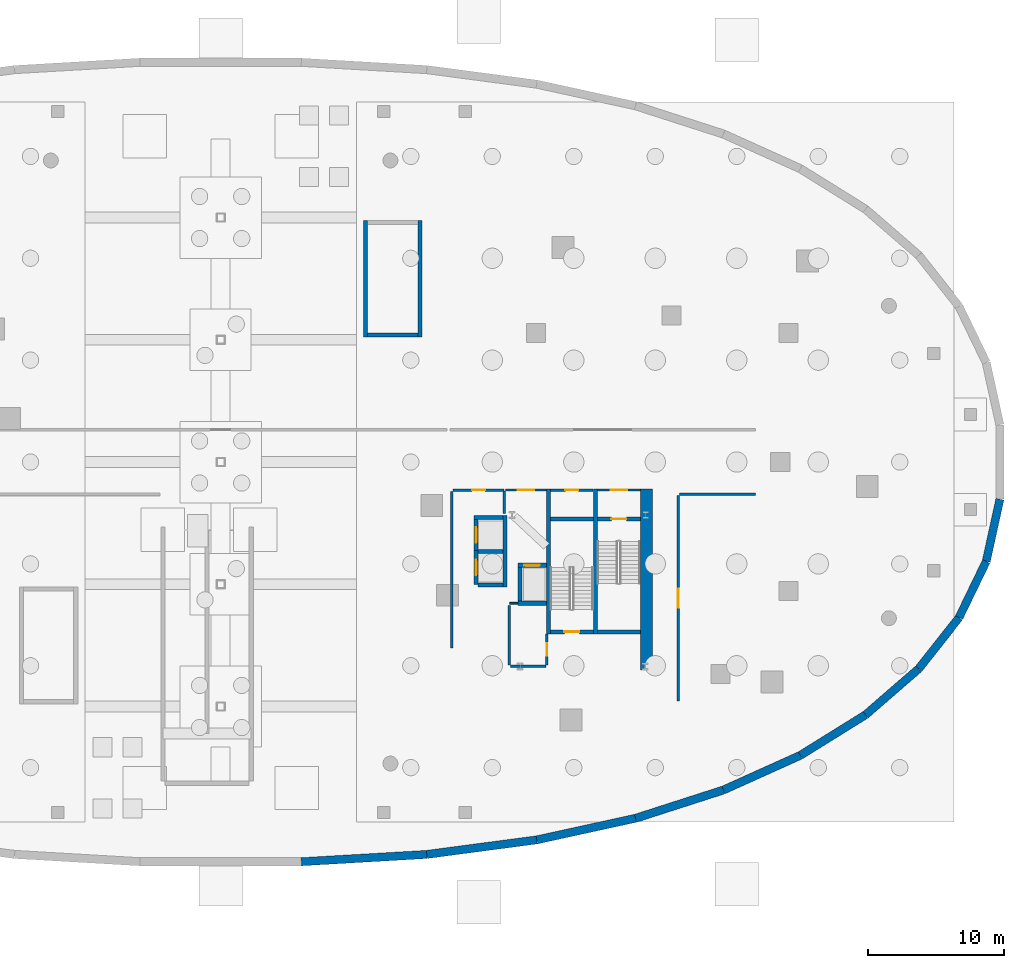
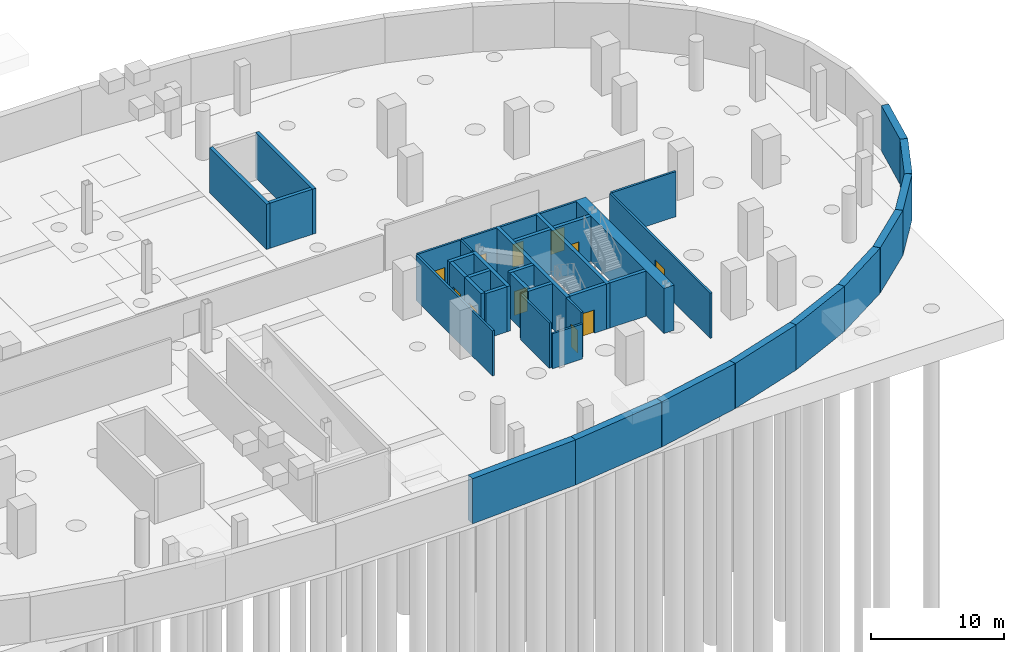
# One storey, part 6 of 10: 41 walls, 11 doors, 11 openings.
"""IFC4 building model written with IfcOpenShell, lengths in metres."""

from ifc_helpers import new_model, si_unit, direction, frame, frame_2d, origin, place, context, subcontext, project, spatial, rectangle, extrude, material, layer, layer_set, type_object, element, fill, save


model = new_model("IFC4")

# Units and contexts
model_context = context("Model", 3, precision=1e-05, world=origin(), true_north=direction((0.0, 1.0)))
body_context = subcontext(model_context, "Body", "Model", "MODEL_VIEW")
ifc_project = project(units=[si_unit("LENGTHUNIT", "METRE"), si_unit("AREAUNIT", "SQUARE_METRE"), si_unit("VOLUMEUNIT", "CUBIC_METRE"), si_unit("PLANEANGLEUNIT", "RADIAN"), si_unit("MASSUNIT", "GRAM", prefix="KILO"), si_unit("THERMODYNAMICTEMPERATUREUNIT", "KELVIN"), si_unit("POWERUNIT", "WATT")], contexts=[model_context])

# Site, building, storey
site_placement = place(None, origin())
site = spatial("IfcSite", under=ifc_project, at=site_placement, CompositionType="ELEMENT")
building_placement = place(site_placement, origin())
building = spatial("IfcBuilding", under=site, at=building_placement, Name="Cundina Bronze Exchange", CompositionType="ELEMENT")
storey_placement = place(building_placement, frame((0.0, 0.0, -9.0)))
storey = spatial("IfcBuildingStorey", under=building, at=storey_placement, Name="B02", CompositionType="ELEMENT", Elevation=-9.0)

# Wall
ifc_material_1 = material(Name="Gypsum Fireboard Partition EI120")
ifc_layer_1 = layer(ifc_material_1, 0.179931640625, Name="Gypsum Fireboard Partition EI120")
ifc_layer_set_1 = layer_set([ifc_layer_1], Name="Gypsum Fireboard Partition EI120")
wall_type_1 = type_object("IfcWallType", Name="WL-COR-180", PredefinedType="PARTITIONING", material=ifc_layer_set_1)
wall_1_placement = place(storey_placement, frame((20.889892578125, -3.800048828125, 0.0), z_axis=(0.0, 0.0, 1.0), x_axis=(0.0, 1.0, 0.0)))
element("IfcWall", 1, at=wall_1_placement, inside=storey, type_object=wall_type_1, Name="B02 E Firefighting Lobby Side Wall", PredefinedType="PARTITIONING", context=body_context, shape_type="SweptSolid", body=[
    extrude(rectangle(XDim=1.650146484375, YDim=0.179931640625, at=frame_2d((0.8251953125, 0.0))), origin(), (0.0, 0.0, 1.0), 4.14990234375),
])

# Wall, opening, door
wall_2_placement = place(storey_placement, frame((20.97998046875, -2.06005859375, 0.0), z_axis=(0.0, 0.0, 1.0), x_axis=(1.0, 0.0, 0.0)))
wall_2 = element("IfcWall", 2, at=wall_2_placement, inside=storey, type_object=wall_type_1, Name="B02 E Firefighting Lobby Exit Wall", PredefinedType="PARTITIONING", context=body_context, shape_type="SweptSolid", body=[
    extrude(rectangle(XDim=3.0, YDim=0.179931640625, at=frame_2d((1.5, 0.0))), origin(), (0.0, 0.0, 1.0), 4.14990234375),
])
opening_1_placement = place(wall_2_placement, frame((0.89990234375, 0.0, 0.0)))
opening_1 = element("IfcOpeningElement", 3, at=opening_1_placement, cuts=wall_2, Name="Opening DF-01", PredefinedType="OPENING", context=body_context, shape_type="SweptSolid", body=[
    extrude(rectangle(XDim=1.199951171875, YDim=2.14990234375, at=frame_2d((0.60009765625, 1.074951171875))), frame((0.0, 0.099853515625, 0.0), z_axis=(0.0, -1.0, 0.0), x_axis=(1.0, 0.0, 0.0)), (0.0, 0.0, 1.0), 0.199951171875),
])
ifc_material_2 = material(Name="Steel ASTM A36 Painted", Category="steel")
door_type_1 = type_object("IfcDoorType", Name="DR-FFL-1200", OperationType="NOTDEFINED", PredefinedType="DOOR", material=ifc_material_2)
door_1_placement = place(opening_1_placement, origin())
door_1 = element("IfcDoor", 4, at=door_1_placement, inside=storey, type_object=door_type_1, Name="B02 E Firefighting Lobby Door", OperationType="SINGLE_SWING_LEFT", OverallHeight=2.14990234375, OverallWidth=1.199951171875, PredefinedType="DOOR", context=body_context, shape_type="SweptSolid", body=[
    extrude(rectangle(XDim=1.199951171875, YDim=2.14990234375, at=frame_2d((0.60009765625, 1.074951171875))), frame((0.0, 0.02490234375, 0.0), z_axis=(0.0, -1.0, 0.0), x_axis=(1.0, 0.0, 0.0)), (0.0, 0.0, 1.0), 0.050048828125),
])
fill(opening_1, door_1)

wall_3_placement = place(storey_placement, frame((27.739990234375, -2.06005859375, 0.0), z_axis=(0.0, 0.0, 1.0), x_axis=(1.0, 0.0, 0.0)))
wall_3 = element("IfcWall", 5, at=wall_3_placement, inside=storey, type_object=wall_type_1, Name="B02 E Stair Vestibule Exit Wall", PredefinedType="PARTITIONING", context=body_context, shape_type="SweptSolid", body=[
    extrude(rectangle(XDim=3.159912109375, YDim=0.179931640625, at=frame_2d((1.580078125, 0.0))), origin(), (0.0, 0.0, 1.0), 4.14990234375),
])
opening_2_placement = place(wall_3_placement, frame((0.97998046875, 0.0, 0.0)))
opening_2 = element("IfcOpeningElement", 6, at=opening_2_placement, cuts=wall_3, Name="Opening DF-01", PredefinedType="OPENING", context=body_context, shape_type="SweptSolid", body=[
    extrude(rectangle(XDim=1.199951171875, YDim=2.14990234375, at=frame_2d((0.60009765625, 1.074951171875))), frame((0.0, 0.099853515625, 0.0), z_axis=(0.0, -1.0, 0.0), x_axis=(1.0, 0.0, 0.0)), (0.0, 0.0, 1.0), 0.199951171875),
])
door_2_placement = place(opening_2_placement, origin())
door_2 = element("IfcDoor", 7, at=door_2_placement, inside=storey, type_object=door_type_1, Name="B02 E Stair Vestibule Door", OperationType="SINGLE_SWING_RIGHT", OverallHeight=2.14990234375, OverallWidth=1.199951171875, PredefinedType="DOOR", context=body_context, shape_type="SweptSolid", body=[
    extrude(rectangle(XDim=1.199951171875, YDim=2.14990234375, at=frame_2d((0.60009765625, 1.074951171875))), frame((0.0, 0.02490234375, 0.0), z_axis=(0.0, -1.0, 0.0), x_axis=(1.0, 0.0, 0.0)), (0.0, 0.0, 1.0), 0.050048828125),
])
fill(opening_2, door_2)

# Wall
wall_4_placement = place(storey_placement, frame((17.02001953125, -13.679931640625, 0.0), z_axis=(0.0, 0.0, 1.0), x_axis=(0.0, 1.0, 0.0)))
element("IfcWall", 8, at=wall_4_placement, inside=storey, type_object=wall_type_1, Name="B02 Interior Partition 008", PredefinedType="PARTITIONING", context=body_context, shape_type="SweptSolid", body=[
    extrude(rectangle(XDim=11.510009765625, YDim=0.179931640625, at=frame_2d((5.7548828125, 0.0))), origin(), (0.0, 0.0, 1.0), 4.14990234375),
])

# Wall, opening, door
wall_5_placement = place(storey_placement, frame((17.1201171875, -2.070068359375, 0.0), z_axis=(0.0, 0.0, 1.0), x_axis=(1.0, 0.0, 0.0)))
wall_5 = element("IfcWall", 9, at=wall_5_placement, inside=storey, type_object=wall_type_1, Name="B02 Interior Partition 009", PredefinedType="PARTITIONING", context=body_context, shape_type="SweptSolid", body=[
    extrude(rectangle(XDim=3.75, YDim=0.179931640625, at=frame_2d((1.875, 0.0))), origin(), (0.0, 0.0, 1.0), 4.14990234375),
])
opening_3_placement = place(wall_5_placement, frame((1.39990234375, 0.0, 0.0)))
opening_3 = element("IfcOpeningElement", 10, at=opening_3_placement, cuts=wall_5, Name="Opening DW-01", PredefinedType="OPENING", context=body_context, shape_type="SweptSolid", body=[
    extrude(rectangle(XDim=0.949951171875, YDim=2.10009765625, at=frame_2d((0.47509765625, 1.050048828125))), frame((0.0, 0.099853515625, 0.0), z_axis=(0.0, -1.0, 0.0), x_axis=(1.0, 0.0, 0.0)), (0.0, 0.0, 1.0), 0.199951171875),
])
ifc_material_3 = material(Name="Solid Andean Oak Timber Grade A", Category="wood")
door_type_2 = type_object("IfcDoorType", Name="DR-WC-950", OperationType="NOTDEFINED", PredefinedType="DOOR", material=ifc_material_3)
door_3_placement = place(opening_3_placement, origin())
door_3 = element("IfcDoor", 11, at=door_3_placement, inside=storey, type_object=door_type_2, Name="B02 Interior Door 009", OperationType="SINGLE_SWING_RIGHT", OverallHeight=2.10009765625, OverallWidth=0.949951171875, PredefinedType="DOOR", context=body_context, shape_type="SweptSolid", body=[
    extrude(rectangle(XDim=0.949951171875, YDim=2.10009765625, at=frame_2d((0.47509765625, 1.050048828125))), frame((0.0, 0.02490234375, 0.0), z_axis=(0.0, -1.0, 0.0), x_axis=(1.0, 0.0, 0.0)), (0.0, 0.0, 1.0), 0.050048828125),
])
fill(opening_3, door_3)

# Walls
wall_6_placement = place(storey_placement, frame((21.25, -14.929931640625, 0.0), z_axis=(0.0, 0.0, 1.0), x_axis=(0.0, 1.0, 0.0)))
element("IfcWall", 12, at=wall_6_placement, inside=storey, type_object=wall_type_1, Name="B02 Interior Partition 011", PredefinedType="PARTITIONING", context=body_context, shape_type="SweptSolid", body=[
    extrude(rectangle(XDim=4.35986328125, YDim=0.179931640625, at=frame_2d((2.179931640625, 0.0))), origin(), (0.0, 0.0, 1.0), 4.14990234375),
])
wall_7_placement = place(storey_placement, frame((21.35009765625, -15.030029296875, 0.0), z_axis=(0.0, 0.0, 1.0), x_axis=(1.0, 0.0, 0.0)))
element("IfcWall", 13, at=wall_7_placement, inside=storey, type_object=wall_type_1, Name="B02 Interior Partition 012", PredefinedType="PARTITIONING", context=body_context, shape_type="SweptSolid", body=[
    extrude(rectangle(XDim=2.60986328125, YDim=0.179931640625, at=frame_2d((1.304931640625, 0.0))), origin(), (0.0, 0.0, 1.0), 3.222900390625),
])

# Wall, opening, door
wall_8_placement = place(storey_placement, frame((24.300048828125, -2.070068359375, 0.0), z_axis=(0.0, 0.0, 1.0), x_axis=(1.0, 0.0, 0.0)))
wall_8 = element("IfcWall", 14, at=wall_8_placement, inside=storey, type_object=wall_type_1, Name="B02 Interior Partition 013", PredefinedType="PARTITIONING", context=body_context, shape_type="SweptSolid", body=[
    extrude(rectangle(XDim=3.119873046875, YDim=0.179931640625, at=frame_2d((1.56005859375, 0.0))), origin(), (0.0, 0.0, 1.0), 4.14990234375),
])
opening_4_placement = place(wall_8_placement, frame((1.0849609375, 0.0, 0.0)))
opening_4 = element("IfcOpeningElement", 15, at=opening_4_placement, cuts=wall_8, Name="Opening DW-01", PredefinedType="OPENING", context=body_context, shape_type="SweptSolid", body=[
    extrude(rectangle(XDim=0.949951171875, YDim=2.10009765625, at=frame_2d((0.47509765625, 1.050048828125))), frame((0.0, 0.099853515625, 0.0), z_axis=(0.0, -1.0, 0.0), x_axis=(1.0, 0.0, 0.0)), (0.0, 0.0, 1.0), 0.199951171875),
])
door_4_placement = place(opening_4_placement, origin())
door_4 = element("IfcDoor", 16, at=door_4_placement, inside=storey, type_object=door_type_2, Name="B02 Interior Door 013", OperationType="SINGLE_SWING_RIGHT", OverallHeight=2.10009765625, OverallWidth=0.949951171875, PredefinedType="DOOR", context=body_context, shape_type="SweptSolid", body=[
    extrude(rectangle(XDim=0.949951171875, YDim=2.10009765625, at=frame_2d((0.47509765625, 1.050048828125))), frame((0.0, 0.02490234375, 0.0), z_axis=(0.0, -1.0, 0.0), x_axis=(1.0, 0.0, 0.0)), (0.0, 0.0, 1.0), 0.050048828125),
])
fill(opening_4, door_4)

wall_9_placement = place(storey_placement, frame((24.02001953125, -14.929931640625, 0.0), z_axis=(0.0, 0.0, 1.0), x_axis=(0.0, 1.0, 0.0)))
wall_9 = element("IfcWall", 17, at=wall_9_placement, inside=storey, type_object=wall_type_1, Name="B02 Interior Partition 014", PredefinedType="PARTITIONING", context=body_context, shape_type="SweptSolid", body=[
    extrude(rectangle(XDim=2.260009765625, YDim=0.179931640625, at=frame_2d((1.1298828125, 0.0))), origin(), (0.0, 0.0, 1.0), 4.14990234375),
])
opening_5_placement = place(wall_9_placement, frame((0.655029296875, 0.0, 0.0)))
opening_5 = element("IfcOpeningElement", 18, at=opening_5_placement, cuts=wall_9, Name="Opening DW-01", PredefinedType="OPENING", context=body_context, shape_type="SweptSolid", body=[
    extrude(rectangle(XDim=0.949951171875, YDim=2.10009765625, at=frame_2d((0.47509765625, 1.050048828125))), frame((0.0, 0.099853515625, 0.0), z_axis=(0.0, -1.0, 0.0), x_axis=(1.0, 0.0, 0.0)), (0.0, 0.0, 1.0), 0.199951171875),
])
door_5_placement = place(opening_5_placement, origin())
door_5 = element("IfcDoor", 19, at=door_5_placement, inside=storey, type_object=door_type_2, Name="B02 Interior Door 014", OperationType="SINGLE_SWING_RIGHT", OverallHeight=2.10009765625, OverallWidth=0.949951171875, PredefinedType="DOOR", context=body_context, shape_type="SweptSolid", body=[
    extrude(rectangle(XDim=0.949951171875, YDim=2.10009765625, at=frame_2d((0.47509765625, 1.050048828125))), frame((0.0, 0.02490234375, 0.0), z_axis=(0.0, -1.0, 0.0), x_axis=(1.0, 0.0, 0.0)), (0.0, 0.0, 1.0), 0.050048828125),
])
fill(opening_5, door_5)

wall_10_placement = place(storey_placement, frame((33.68994140625, -17.605224609375, 0.0), z_axis=(0.0, 0.0, 1.0), x_axis=(0.0, 1.0, 0.0)))
wall_10 = element("IfcWall", 20, at=wall_10_placement, inside=storey, type_object=wall_type_1, Name="B02 Interior Partition 021", PredefinedType="PARTITIONING", context=body_context, shape_type="SweptSolid", body=[
    extrude(rectangle(XDim=15.145263671875, YDim=0.179931640625, at=frame_2d((7.57275390625, 0.0))), origin(), (0.0, 0.0, 1.0), 4.14990234375),
])
opening_6_placement = place(wall_10_placement, frame((6.87255859375, 0.0, 0.0)))
opening_6 = element("IfcOpeningElement", 21, at=opening_6_placement, cuts=wall_10, Name="Opening DP-01", PredefinedType="OPENING", context=body_context, shape_type="SweptSolid", body=[
    extrude(rectangle(XDim=1.39990234375, YDim=2.199951171875, at=frame_2d((0.699951171875, 1.10009765625))), frame((0.0, 0.099853515625, 0.0), z_axis=(0.0, -1.0, 0.0), x_axis=(1.0, 0.0, 0.0)), (0.0, 0.0, 1.0), 0.199951171875),
])
door_type_3 = type_object("IfcDoorType", Name="DR-PLT-1400", OperationType="NOTDEFINED", PredefinedType="DOOR", material=ifc_material_2)
door_6_placement = place(opening_6_placement, origin())
door_6 = element("IfcDoor", 22, at=door_6_placement, inside=storey, type_object=door_type_3, Name="B02 Interior Door 021", OperationType="SINGLE_SWING_RIGHT", OverallHeight=2.199951171875, OverallWidth=1.39990234375, PredefinedType="DOOR", context=body_context, shape_type="SweptSolid", body=[
    extrude(rectangle(XDim=1.39990234375, YDim=2.199951171875, at=frame_2d((0.699951171875, 1.10009765625))), frame((0.0, 0.02490234375, 0.0), z_axis=(0.0, -1.0, 0.0), x_axis=(1.0, 0.0, 0.0)), (0.0, 0.0, 1.0), 0.050048828125),
])
fill(opening_6, door_6)

# Walls
wall_11_placement = place(storey_placement, frame((33.77001953125, -2.3798828125, 0.0), z_axis=(0.0, 0.0, 1.0), x_axis=(1.0, 0.0, 0.0)))
element("IfcWall", 23, at=wall_11_placement, inside=storey, type_object=wall_type_1, Name="B02 Interior Partition 022", PredefinedType="PARTITIONING", context=body_context, shape_type="SweptSolid", body=[
    extrude(rectangle(XDim=5.6083984375, YDim=0.179931640625, at=frame_2d((2.80419921875, 0.0))), origin(), (0.0, 0.0, 1.0), 4.14990234375),
])
ifc_material_4 = material(Name="Concrete C60/75", Category="concrete")
ifc_layer_2 = layer(ifc_material_4, 0.89990234375, Name="Concrete C60/75", Category="concrete")
ifc_layer_set_2 = layer_set([ifc_layer_2], Name="Concrete C60/75")
wall_type_2 = type_object("IfcWallType", Name="WL-CORE-900", PredefinedType="SHEAR", material=ifc_layer_set_2)
wall_12_placement = place(storey_placement, frame((31.35009765625, -15.300048828125, 0.0), z_axis=(0.0, 0.0, 1.0), x_axis=(0.0, 1.0, 0.0)))
element("IfcWall", 24, at=wall_12_placement, inside=storey, type_object=wall_type_2, Name="B02 E Primary Core Shear Spine Wall", PredefinedType="SHEAR", context=body_context, shape_type="SweptSolid", body=[
    extrude(rectangle(XDim=13.330078125, YDim=0.89990234375, at=frame_2d((6.6650390625, 0.0))), origin(), (0.0, 0.0, 1.0), 4.14990234375),
])
ifc_material_5 = material(Name="Concrete C40/50", Category="concrete")
ifc_layer_3 = layer(ifc_material_5, 0.60009765625, Name="Concrete C40/50", Category="concrete")
ifc_layer_set_3 = layer_set([ifc_layer_3], Name="Concrete C40/50")
wall_type_3 = type_object("IfcWallType", Name="WL-RET-600", PredefinedType="USERDEFINED", material=ifc_layer_set_3)
wall_13_placement = place(storey_placement, frame((5.93603515625, -29.431884765625, 0.0), z_axis=(0.0, 0.0, 1.0), x_axis=(0.998305864477, 0.058184198455, 0.0)))
element("IfcWall", 25, at=wall_13_placement, inside=storey, type_object=wall_type_3, Name="B02 Perimeter Concrete Retaining Wall 34", ObjectType="RETAININGWALL", PredefinedType="USERDEFINED", context=body_context, shape_type="SweptSolid", body=[
    extrude(rectangle(XDim=9.260498046875, YDim=0.60009765625, at=frame_2d((4.63037109375, 0.0))), origin(), (0.0, 0.0, 1.0), 4.14990234375),
])
wall_14_placement = place(storey_placement, frame((15.180908203125, -28.89306640625, 0.0), z_axis=(0.0, 0.0, 1.0), x_axis=(0.991355566156, 0.131202673187, 0.0)))
element("IfcWall", 26, at=wall_14_placement, inside=storey, type_object=wall_type_3, Name="B02 Perimeter Concrete Retaining Wall 35", ObjectType="RETAININGWALL", PredefinedType="USERDEFINED", context=body_context, shape_type="SweptSolid", body=[
    extrude(rectangle(XDim=8.170654296875, YDim=0.60009765625, at=frame_2d((4.08544921875, 0.0))), origin(), (0.0, 0.0, 1.0), 4.14990234375),
])
wall_15_placement = place(storey_placement, frame((23.281005859375, -27.821044921875, 0.0), z_axis=(0.0, 0.0, 1.0), x_axis=(0.976902373216, 0.213686109059, 0.0)))
element("IfcWall", 27, at=wall_15_placement, inside=storey, type_object=wall_type_3, Name="B02 Perimeter Concrete Retaining Wall 36", ObjectType="RETAININGWALL", PredefinedType="USERDEFINED", context=body_context, shape_type="SweptSolid", body=[
    extrude(rectangle(XDim=7.436767578125, YDim=0.60009765625, at=frame_2d((3.71826171875, 0.0))), origin(), (0.0, 0.0, 1.0), 4.14990234375),
])
wall_16_placement = place(storey_placement, frame((30.5458984375, -26.23193359375, 0.0), z_axis=(0.0, 0.0, 1.0), x_axis=(0.951843868052, 0.306583187492, 0.0)))
element("IfcWall", 28, at=wall_16_placement, inside=storey, type_object=wall_type_3, Name="B02 Perimeter Concrete Retaining Wall 37", ObjectType="RETAININGWALL", PredefinedType="USERDEFINED", context=body_context, shape_type="SweptSolid", body=[
    extrude(rectangle(XDim=6.800537109375, YDim=0.60009765625, at=frame_2d((3.400390625, 0.0))), origin(), (0.0, 0.0, 1.0), 4.14990234375),
])
wall_17_placement = place(storey_placement, frame((37.01904296875, -24.14697265625, 0.0), z_axis=(0.0, 0.0, 1.0), x_axis=(0.911643952457, 0.410980904603, 0.0)))
element("IfcWall", 29, at=wall_17_placement, inside=storey, type_object=wall_type_3, Name="B02 Perimeter Concrete Retaining Wall 38", ObjectType="RETAININGWALL", PredefinedType="USERDEFINED", context=body_context, shape_type="SweptSolid", body=[
    extrude(rectangle(XDim=6.20947265625, YDim=0.60009765625, at=frame_2d((3.104736328125, 0.0))), origin(), (0.0, 0.0, 1.0), 4.14990234375),
])
wall_18_placement = place(storey_placement, frame((42.679931640625, -21.594970703125, 0.0), z_axis=(0.0, 0.0, 1.0), x_axis=(0.849299437699, 0.527911417877, 0.0)))
element("IfcWall", 30, at=wall_18_placement, inside=storey, type_object=wall_type_3, Name="B02 Perimeter Concrete Retaining Wall 39", ObjectType="RETAININGWALL", PredefinedType="USERDEFINED", context=body_context, shape_type="SweptSolid", body=[
    extrude(rectangle(XDim=5.66015625, YDim=0.60009765625, at=frame_2d((2.830078125, 0.0))), origin(), (0.0, 0.0, 1.0), 4.14990234375),
])
wall_19_placement = place(storey_placement, frame((47.487060546875, -18.60693359375, 0.0), z_axis=(0.0, 0.0, 1.0), x_axis=(0.755564536906, 0.655074217605, 0.0)))
element("IfcWall", 31, at=wall_19_placement, inside=storey, type_object=wall_type_3, Name="B02 Perimeter Concrete Retaining Wall 40", ObjectType="RETAININGWALL", PredefinedType="USERDEFINED", context=body_context, shape_type="SweptSolid", body=[
    extrude(rectangle(XDim=5.1748046875, YDim=0.60009765625, at=frame_2d((2.58740234375, 0.0))), origin(), (0.0, 0.0, 1.0), 4.14990234375),
])
wall_20_placement = place(storey_placement, frame((51.39697265625, -15.217041015625, 0.0), z_axis=(0.0, 0.0, 1.0), x_axis=(0.619447864054, 0.785037797637, 0.0)))
element("IfcWall", 32, at=wall_20_placement, inside=storey, type_object=wall_type_3, Name="B02 Perimeter Concrete Retaining Wall 41", ObjectType="RETAININGWALL", PredefinedType="USERDEFINED", context=body_context, shape_type="SweptSolid", body=[
    extrude(rectangle(XDim=4.796142578125, YDim=0.60009765625, at=frame_2d((2.39794921875, 0.0))), origin(), (0.0, 0.0, 1.0), 4.14990234375),
])
wall_21_placement = place(storey_placement, frame((54.367919921875, -11.451904296875, 0.0), z_axis=(0.0, 0.0, 1.0), x_axis=(0.435772260249, 0.900056963307, 0.0)))
element("IfcWall", 33, at=wall_21_placement, inside=storey, type_object=wall_type_3, Name="B02 Perimeter Concrete Retaining Wall 42", ObjectType="RETAININGWALL", PredefinedType="USERDEFINED", context=body_context, shape_type="SweptSolid", body=[
    extrude(rectangle(XDim=4.589599609375, YDim=0.60009765625, at=frame_2d((2.294921875, 0.0))), origin(), (0.0, 0.0, 1.0), 4.14990234375),
])
wall_22_placement = place(storey_placement, frame((56.367919921875, -7.321044921875, 0.0), z_axis=(0.0, 0.0, 1.0), x_axis=(0.214510247434, 0.976721738135, 0.0)))
element("IfcWall", 34, at=wall_22_placement, inside=storey, type_object=wall_type_3, Name="B02 Perimeter Concrete Retaining Wall 43", ObjectType="RETAININGWALL", PredefinedType="USERDEFINED", context=body_context, shape_type="SweptSolid", body=[
    extrude(rectangle(XDim=4.690185546875, YDim=0.60009765625, at=frame_2d((2.34521484375, 0.0))), origin(), (0.0, 0.0, 1.0), 4.14990234375),
])
ifc_material_6 = material(Name="Concrete C50/60", Category="concrete")
ifc_layer_4 = layer(ifc_material_6, 0.300048828125, Name="Concrete C50/60", Category="concrete")
ifc_layer_set_4 = layer_set([ifc_layer_4], Name="Concrete C50/60")
wall_type_4 = type_object("IfcWallType", Name="WL-SHFT-300", PredefinedType="SHEAR", material=ifc_layer_set_4)
for number, where, z_axis, x_axis, name in (
    (35, (10.669921875, 9.199951171875, 0.0), (0.0, 0.0, 1.0), (0.0, 1.0, 0.0), "B02 Concourse Stair E West Shaft Wall"),
    (36, (14.669921875, 9.199951171875, 0.0), (0.0, 0.0, 1.0), (0.0, 1.0, 0.0), "B02 Concourse Stair E East Shaft Wall"),
):
    element("IfcWall", number, at=place(storey_placement, frame(where, z_axis=z_axis, x_axis=x_axis)), inside=storey, type_object=wall_type_4, Name=name, PredefinedType="SHEAR", context=body_context, shape_type="SweptSolid", body=[
        extrude(rectangle(XDim=8.60009765625, YDim=0.300048828125, at=frame_2d((4.300048828125, 0.0))), origin(), (0.0, 0.0, 1.0), 4.14990234375),
    ])
wall_23_placement = place(storey_placement, frame((10.820068359375, 9.35009765625, 0.0), z_axis=(0.0, 0.0, 1.0), x_axis=(1.0, 0.0, 0.0)))
element("IfcWall", 37, at=wall_23_placement, inside=storey, type_object=wall_type_4, Name="B02 Concourse Stair E Far Shaft Wall", PredefinedType="SHEAR", context=body_context, shape_type="SweptSolid", body=[
    extrude(rectangle(XDim=3.699951171875, YDim=0.300048828125, at=frame_2d((1.85009765625, 0.0))), origin(), (0.0, 0.0, 1.0), 4.14990234375),
])
for number, where, z_axis, x_axis, name in (
    (38, (27.590087890625, -12.64990234375, 0.0), (0.0, 0.0, 1.0), (0.0, 1.0, 0.0), "B02 E Stair Shaft Dividing Shear Wall"),
    (39, (24.1298828125, -12.64990234375, 0.0), (0.0, 0.0, 1.0), (0.0, 1.0, 0.0), "B02 E Stair 2 East Shear Wall"),
):
    element("IfcWall", number, at=place(storey_placement, frame(where, z_axis=z_axis, x_axis=x_axis)), inside=storey, type_object=wall_type_4, Name=name, PredefinedType="SHEAR", context=body_context, shape_type="SweptSolid", body=[
        extrude(rectangle(XDim=10.679931640625, YDim=0.300048828125, at=frame_2d((5.33984375, 0.0))), origin(), (0.0, 0.0, 1.0), 4.14990234375),
    ])

# Wall, opening, door
wall_24_placement = place(storey_placement, frame((27.739990234375, -4.199951171875, 0.0), z_axis=(0.0, 0.0, 1.0), x_axis=(1.0, 0.0, 0.0)))
wall_24 = element("IfcWall", 40, at=wall_24_placement, inside=storey, type_object=wall_type_4, Name="B02 Stair E1 Landing Wall", PredefinedType="SHEAR", context=body_context, shape_type="SweptSolid", body=[
    extrude(rectangle(XDim=3.159912109375, YDim=0.300048828125, at=frame_2d((1.580078125, 0.0))), origin(), (0.0, 0.0, 1.0), 4.14990234375),
])
opening_7_placement = place(wall_24_placement, frame((1.030029296875, 0.0, 0.0)))
opening_7 = element("IfcOpeningElement", 41, at=opening_7_placement, cuts=wall_24, Name="Opening DS-01", PredefinedType="OPENING", context=body_context, shape_type="SweptSolid", body=[
    extrude(rectangle(XDim=1.10009765625, YDim=2.14990234375, at=frame_2d((0.550048828125, 1.074951171875))), frame((0.0, 0.159912109375, 0.0), z_axis=(0.0, -1.0, 0.0), x_axis=(1.0, 0.0, 0.0)), (0.0, 0.0, 1.0), 0.320068359375),
])
door_type_4 = type_object("IfcDoorType", Name="DR-STR-1100", OperationType="NOTDEFINED", PredefinedType="DOOR", material=ifc_material_2)
door_7_placement = place(opening_7_placement, origin())
door_7 = element("IfcDoor", 42, at=door_7_placement, inside=storey, type_object=door_type_4, Name="B02 Smokeproof Stair E1 Door", OperationType="SINGLE_SWING_LEFT", OverallHeight=2.14990234375, OverallWidth=1.10009765625, PredefinedType="DOOR", context=body_context, shape_type="SweptSolid", body=[
    extrude(rectangle(XDim=1.10009765625, YDim=2.14990234375, at=frame_2d((0.550048828125, 1.074951171875))), frame((0.0, 0.02490234375, 0.0), z_axis=(0.0, -1.0, 0.0), x_axis=(1.0, 0.0, 0.0)), (0.0, 0.0, 1.0), 0.050048828125),
])
fill(opening_7, door_7)

# Wall
wall_25_placement = place(storey_placement, frame((27.739990234375, -12.5, 0.0), z_axis=(0.0, 0.0, 1.0), x_axis=(1.0, 0.0, 0.0)))
element("IfcWall", 43, at=wall_25_placement, inside=storey, type_object=wall_type_4, Name="B02 Stair E1 Far Shaft Wall", PredefinedType="SHEAR", context=body_context, shape_type="SweptSolid", body=[
    extrude(rectangle(XDim=3.159912109375, YDim=0.300048828125, at=frame_2d((1.580078125, 0.0))), origin(), (0.0, 0.0, 1.0), 4.14990234375),
])

# Wall, opening, door
wall_26_placement = place(storey_placement, frame((24.280029296875, -12.5, 0.0), z_axis=(0.0, 0.0, 1.0), x_axis=(1.0, 0.0, 0.0)))
wall_26 = element("IfcWall", 44, at=wall_26_placement, inside=storey, type_object=wall_type_4, Name="B02 Stair E2 Landing Wall", PredefinedType="SHEAR", context=body_context, shape_type="SweptSolid", body=[
    extrude(rectangle(XDim=3.159912109375, YDim=0.300048828125, at=frame_2d((1.580078125, 0.0))), origin(), (0.0, 0.0, 1.0), 4.14990234375),
])
opening_8_placement = place(wall_26_placement, frame((1.030029296875, 0.0, 0.0)))
opening_8 = element("IfcOpeningElement", 45, at=opening_8_placement, cuts=wall_26, Name="Opening DS-01", PredefinedType="OPENING", context=body_context, shape_type="SweptSolid", body=[
    extrude(rectangle(XDim=1.10009765625, YDim=2.14990234375, at=frame_2d((0.550048828125, 1.074951171875))), frame((0.0, 0.159912109375, 0.0), z_axis=(0.0, -1.0, 0.0), x_axis=(1.0, 0.0, 0.0)), (0.0, 0.0, 1.0), 0.320068359375),
])
door_8_placement = place(opening_8_placement, origin())
door_8 = element("IfcDoor", 46, at=door_8_placement, inside=storey, type_object=door_type_4, Name="B02 Smokeproof Stair E2 Door", OperationType="SINGLE_SWING_RIGHT", OverallHeight=2.14990234375, OverallWidth=1.10009765625, PredefinedType="DOOR", context=body_context, shape_type="SweptSolid", body=[
    extrude(rectangle(XDim=1.10009765625, YDim=2.14990234375, at=frame_2d((0.550048828125, 1.074951171875))), frame((0.0, 0.02490234375, 0.0), z_axis=(0.0, -1.0, 0.0), x_axis=(1.0, 0.0, 0.0)), (0.0, 0.0, 1.0), 0.050048828125),
])
fill(opening_8, door_8)

# Wall
wall_27_placement = place(storey_placement, frame((24.280029296875, -4.199951171875, 0.0), z_axis=(0.0, 0.0, 1.0), x_axis=(1.0, 0.0, 0.0)))
element("IfcWall", 47, at=wall_27_placement, inside=storey, type_object=wall_type_4, Name="B02 Stair E2 Far Shaft Wall", PredefinedType="SHEAR", context=body_context, shape_type="SweptSolid", body=[
    extrude(rectangle(XDim=3.159912109375, YDim=0.300048828125, at=frame_2d((1.580078125, 0.0))), origin(), (0.0, 0.0, 1.0), 4.14990234375),
])

# Wall, opening, door
wall_28_placement = place(storey_placement, frame((21.8798828125, -7.60009765625, 0.0), z_axis=(0.0, 0.0, 1.0), x_axis=(1.0, 0.0, 0.0)))
wall_28 = element("IfcWall", 48, at=wall_28_placement, inside=storey, type_object=wall_type_4, Name="B02 FFL-E Hoistway Front Wall", PredefinedType="SHEAR", context=body_context, shape_type="SweptSolid", body=[
    extrude(rectangle(XDim=2.10009765625, YDim=0.300048828125, at=frame_2d((1.050048828125, 0.0))), origin(), (0.0, 0.0, 1.0), 4.14990234375),
])
opening_9_placement = place(wall_28_placement, frame((0.47509765625, 0.0, 0.0)))
opening_9 = element("IfcOpeningElement", 49, at=opening_9_placement, cuts=wall_28, Name="Opening LD-01", PredefinedType="OPENING", context=body_context, shape_type="SweptSolid", body=[
    extrude(rectangle(XDim=1.14990234375, YDim=2.199951171875, at=frame_2d((0.574951171875, 1.10009765625))), frame((0.0, 0.159912109375, 0.0), z_axis=(0.0, -1.0, 0.0), x_axis=(1.0, 0.0, 0.0)), (0.0, 0.0, 1.0), 0.320068359375),
])
door_type_5 = type_object("IfcDoorType", Name="DR-LND-1150", OperationType="NOTDEFINED", PredefinedType="TRAPDOOR", material=ifc_material_2)
door_9_placement = place(opening_9_placement, origin())
door_9 = element("IfcDoor", 50, at=door_9_placement, inside=storey, type_object=door_type_5, Name="B02 FFL-E Sliding Landing Door", OperationType="SLIDING_TO_LEFT", OverallHeight=2.199951171875, OverallWidth=1.14990234375, PredefinedType="TRAPDOOR", context=body_context, shape_type="SweptSolid", body=[
    extrude(rectangle(XDim=1.14990234375, YDim=2.199951171875, at=frame_2d((0.574951171875, 1.10009765625))), frame((0.0, 0.02490234375, 0.0), z_axis=(0.0, -1.0, 0.0), x_axis=(1.0, 0.0, 0.0)), (0.0, 0.0, 1.0), 0.050048828125),
])
fill(opening_9, door_9)

# Walls
wall_29_placement = place(storey_placement, frame((21.8798828125, -10.39990234375, 0.0), z_axis=(0.0, 0.0, 1.0), x_axis=(1.0, 0.0, 0.0)))
element("IfcWall", 51, at=wall_29_placement, inside=storey, type_object=wall_type_4, Name="B02 FFL-E Hoistway Back Wall", PredefinedType="SHEAR", context=body_context, shape_type="SweptSolid", body=[
    extrude(rectangle(XDim=2.10009765625, YDim=0.300048828125, at=frame_2d((1.050048828125, 0.0))), origin(), (0.0, 0.0, 1.0), 4.14990234375),
])
wall_30_placement = place(storey_placement, frame((22.030029296875, -10.25, 0.0), z_axis=(0.0, 0.0, 1.0), x_axis=(0.0, 1.0, 0.0)))
element("IfcWall", 52, at=wall_30_placement, inside=storey, type_object=wall_type_4, Name="B02 FFL-E Hoistway Side Wall", PredefinedType="SHEAR", context=body_context, shape_type="SweptSolid", body=[
    extrude(rectangle(XDim=2.5, YDim=0.300048828125, at=frame_2d((1.25, 0.0))), origin(), (0.0, 0.0, 1.0), 4.14990234375),
])
wall_31_placement = place(storey_placement, frame((20.949951171875, -9.199951171875, 0.0), z_axis=(0.0, 0.0, 1.0), x_axis=(0.0, 1.0, 0.0)))
element("IfcWall", 53, at=wall_31_placement, inside=storey, type_object=wall_type_4, Name="B02 E Passenger Bank Hoistway Back Wall", PredefinedType="SHEAR", context=body_context, shape_type="SweptSolid", body=[
    extrude(rectangle(XDim=5.25, YDim=0.300048828125, at=frame_2d((2.625, 0.0))), origin(), (0.0, 0.0, 1.0), 4.14990234375),
])
wall_32_placement = place(storey_placement, frame((18.949951171875, -9.050048828125, 0.0), z_axis=(0.0, 0.0, 1.0), x_axis=(1.0, 0.0, 0.0)))
element("IfcWall", 54, at=wall_32_placement, inside=storey, type_object=wall_type_4, Name="B02 E Passenger Bank South Cap Wall", PredefinedType="SHEAR", context=body_context, shape_type="SweptSolid", body=[
    extrude(rectangle(XDim=1.85009765625, YDim=0.300048828125, at=frame_2d((0.925048828125, 0.0))), origin(), (0.0, 0.0, 1.0), 4.14990234375),
])
wall_33_placement = place(storey_placement, frame((18.64990234375, -4.10009765625, 0.0), z_axis=(0.0, 0.0, 1.0), x_axis=(1.0, 0.0, 0.0)))
element("IfcWall", 55, at=wall_33_placement, inside=storey, type_object=wall_type_4, Name="B02 E Passenger Bank North Cap Wall", PredefinedType="SHEAR", context=body_context, shape_type="SweptSolid", body=[
    extrude(rectangle(XDim=2.150146484375, YDim=0.300048828125, at=frame_2d((1.0751953125, 0.0))), origin(), (0.0, 0.0, 1.0), 4.14990234375),
])
wall_34_placement = place(storey_placement, frame((18.949951171875, -6.574951171875, 0.0), z_axis=(0.0, 0.0, 1.0), x_axis=(1.0, 0.0, 0.0)))
element("IfcWall", 56, at=wall_34_placement, inside=storey, type_object=wall_type_4, Name="B02 E Passenger Hoistway Divider 1", PredefinedType="SHEAR", context=body_context, shape_type="SweptSolid", body=[
    extrude(rectangle(XDim=1.85009765625, YDim=0.300048828125, at=frame_2d((0.925048828125, 0.0))), origin(), (0.0, 0.0, 1.0), 4.14990234375),
])

# Wall, opening, door
wall_35_placement = place(storey_placement, frame((18.800048828125, -9.02001953125, 0.0), z_axis=(0.0, 0.0, 1.0), x_axis=(0.0, 1.0, 0.0)))
wall_35 = element("IfcWall", 57, at=wall_35_placement, inside=storey, type_object=wall_type_4, Name="B02 PL-E1 Hoistway Front Wall", PredefinedType="SHEAR", context=body_context, shape_type="SweptSolid", body=[
    extrude(rectangle(XDim=2.489990234375, YDim=0.300048828125, at=frame_2d((1.2451171875, 0.0))), origin(), (0.0, 0.0, 1.0), 4.14990234375),
])
opening_10_placement = place(wall_35_placement, frame((0.669921875, 0.0, 0.0)))
opening_10 = element("IfcOpeningElement", 58, at=opening_10_placement, cuts=wall_35, Name="Opening LD-01", PredefinedType="OPENING", context=body_context, shape_type="SweptSolid", body=[
    extrude(rectangle(XDim=1.14990234375, YDim=2.199951171875, at=frame_2d((0.574951171875, 1.10009765625))), frame((0.0, 0.159912109375, 0.0), z_axis=(0.0, -1.0, 0.0), x_axis=(1.0, 0.0, 0.0)), (0.0, 0.0, 1.0), 0.320068359375),
])
door_10_placement = place(opening_10_placement, origin())
door_10 = element("IfcDoor", 59, at=door_10_placement, inside=storey, type_object=door_type_5, Name="B02 PL-E1 Sliding Landing Door", OperationType="SLIDING_TO_LEFT", OverallHeight=2.199951171875, OverallWidth=1.14990234375, PredefinedType="TRAPDOOR", context=body_context, shape_type="SweptSolid", body=[
    extrude(rectangle(XDim=1.14990234375, YDim=2.199951171875, at=frame_2d((0.574951171875, 1.10009765625))), frame((0.0, 0.02490234375, 0.0), z_axis=(0.0, -1.0, 0.0), x_axis=(1.0, 0.0, 0.0)), (0.0, 0.0, 1.0), 0.050048828125),
])
fill(opening_10, door_10)

wall_36_placement = place(storey_placement, frame((18.800048828125, -6.6201171875, 0.0), z_axis=(0.0, 0.0, 1.0), x_axis=(0.0, 1.0, 0.0)))
wall_36 = element("IfcWall", 60, at=wall_36_placement, inside=storey, type_object=wall_type_4, Name="B02 PL-E2 Hoistway Front Wall", PredefinedType="SHEAR", context=body_context, shape_type="SweptSolid", body=[
    extrude(rectangle(XDim=2.490234375, YDim=0.300048828125, at=frame_2d((1.2451171875, 0.0))), origin(), (0.0, 0.0, 1.0), 4.14990234375),
])
opening_11_placement = place(wall_36_placement, frame((0.669921875, 0.0, 0.0)))
opening_11 = element("IfcOpeningElement", 61, at=opening_11_placement, cuts=wall_36, Name="Opening LD-01", PredefinedType="OPENING", context=body_context, shape_type="SweptSolid", body=[
    extrude(rectangle(XDim=1.14990234375, YDim=2.199951171875, at=frame_2d((0.574951171875, 1.10009765625))), frame((0.0, 0.159912109375, 0.0), z_axis=(0.0, -1.0, 0.0), x_axis=(1.0, 0.0, 0.0)), (0.0, 0.0, 1.0), 0.320068359375),
])
door_11_placement = place(opening_11_placement, origin())
door_11 = element("IfcDoor", 62, at=door_11_placement, inside=storey, type_object=door_type_5, Name="B02 PL-E2 Sliding Landing Door", OperationType="SLIDING_TO_LEFT", OverallHeight=2.199951171875, OverallWidth=1.14990234375, PredefinedType="TRAPDOOR", context=body_context, shape_type="SweptSolid", body=[
    extrude(rectangle(XDim=1.14990234375, YDim=2.199951171875, at=frame_2d((0.574951171875, 1.10009765625))), frame((0.0, 0.02490234375, 0.0), z_axis=(0.0, -1.0, 0.0), x_axis=(1.0, 0.0, 0.0)), (0.0, 0.0, 1.0), 0.050048828125),
])
fill(opening_11, door_11)

# Wall
ifc_material_7 = material(Name="Moisture-Resistant Masonry Block Grade M15", Category="masonry")
ifc_layer_5 = layer(ifc_material_7, 0.139892578125, Name="Moisture-Resistant Masonry Block Grade M15", Category="masonry")
ifc_layer_set_5 = layer_set([ifc_layer_5], Name="Moisture-Resistant Masonry Block Grade M15")
wall_type_5 = type_object("IfcWallType", Name="WL-WET-140", PredefinedType="PARTITIONING", material=ifc_layer_set_5)
wall_37_placement = place(storey_placement, frame((21.27001953125, -10.39990234375, 0.0), z_axis=(0.0, 0.0, 1.0), x_axis=(1.0, 0.0, 0.0)))
element("IfcWall", 63, at=wall_37_placement, inside=storey, type_object=wall_type_5, Name="B02 Interior Partition 010", PredefinedType="PARTITIONING", context=body_context, shape_type="SweptSolid", body=[
    extrude(rectangle(XDim=0.590087890625, YDim=0.139892578125, at=frame_2d((0.294921875, 0.0))), origin(), (0.0, 0.0, 1.0), 4.14990234375),
])

save(model, "model.ifc")
